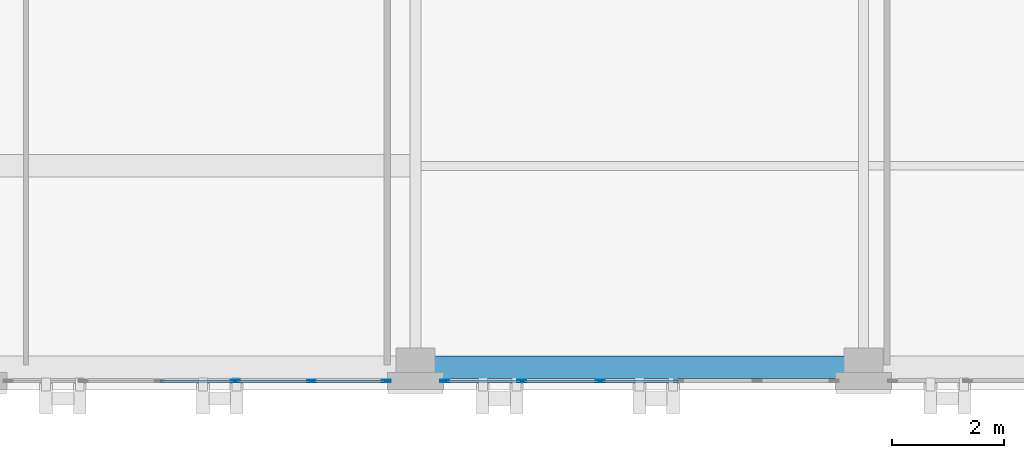
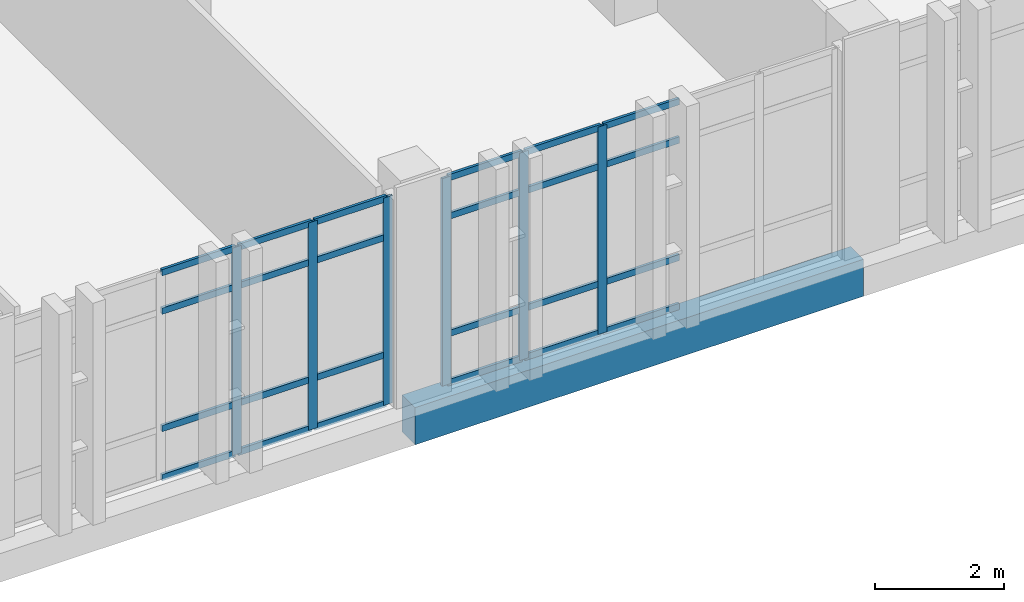
# One storey, part 118 of 193: 30 members, 1 beam, 2 elements without a shape of their own.
"""IFC4 building model written with IfcOpenShell, lengths in metres."""

from ifc_helpers import new_model, si_unit, direction, frame, origin, origin_2d, place, context, subcontext, project, spatial, rectangle, hollow_rectangle, extrude, material, layer, layer_set, material_profile, profile_set, type_object, element, aggregate, save


model = new_model("IFC4")

# Units and contexts
model_context = context("Model", 3, precision=1e-05, world=origin(), true_north=direction((0.0, 1.0)))
body_context = subcontext(model_context, "Body", "Model", "MODEL_VIEW")
ifc_project = project(units=[si_unit("LENGTHUNIT", "METRE"), si_unit("AREAUNIT", "SQUARE_METRE"), si_unit("VOLUMEUNIT", "CUBIC_METRE"), si_unit("PLANEANGLEUNIT", "RADIAN"), si_unit("MASSUNIT", "GRAM", prefix="KILO")], contexts=[model_context])

# Site, building, storey
site_placement = place(None, origin())
site = spatial("IfcSite", under=ifc_project, at=site_placement, CompositionType="ELEMENT")
building_placement = place(site_placement, origin())
building = spatial("IfcBuilding", under=site, at=building_placement, Name="Qalavern Law Courts", CompositionType="ELEMENT")
storey_placement = place(building_placement, frame((0.0, 0.0, 10.199951171875)))
storey = spatial("IfcBuildingStorey", under=building, at=storey_placement, Name="L02", CompositionType="ELEMENT", Elevation=10.199951171875)

# Curtain wall, members
ifc_material_1 = material(Name="Anodised aluminium and insulated glazing", Category="aluminium")
ifc_layer = layer(ifc_material_1, 0.172119140625)
ifc_layer_set = layer_set([ifc_layer], Name="Anodised aluminium and insulated glazing")
curtain_wall_type = type_object("IfcCurtainWallType", Name="ENV-CW-COURT", PredefinedType="USERDEFINED", material=ifc_layer_set)
curtain_wall_1_placement = place(storey_placement, origin())
curtain_wall_1 = element("IfcCurtainWall", 1, at=curtain_wall_1_placement, inside=storey, type_object=curtain_wall_type, Name="V6 unitised curtain wall L02 south 5", ObjectType="UNITISED CURTAIN WALL", PredefinedType="USERDEFINED")
ifc_material_2 = material(Name="Anodised aluminium", Category="aluminium")
ifc_material_profile_1 = material_profile(ifc_material_2, hollow_rectangle(XDim=0.048095703125, YDim=0.159912109375, WallThickness=0.00390625, at=origin_2d()), Name="ALU MULLION 48x160")
ifc_profile_set_1 = profile_set([ifc_material_profile_1], Name="Anodised aluminium")
member_type_1 = type_object("IfcMemberType", Name="ENV-CWM-48x160", PredefinedType="MULLION", material=ifc_profile_set_1)
member_1_placement = place(storey_placement, frame((146.580078125, 1.155029296875, 0.0), z_axis=(0.0, 0.0, 1.0), x_axis=(0.0, 1.0, 0.0)))
member_1 = element("IfcMember", 2, at=member_1_placement, type_object=member_type_1, Name="CW-03 mullion 4", PredefinedType="MULLION", context=body_context, shape_type="SweptSolid", body=[
    extrude(hollow_rectangle(XDim=0.048095703125, YDim=0.159912109375, WallThickness=0.00390625, at=origin_2d()), origin(), (0.0, 0.0, 1.0), 3.9150390625),
])
member_2_placement = place(storey_placement, frame((147.93994140625, 1.155029296875, 0.0), z_axis=(0.0, 0.0, 1.0), x_axis=(0.0, 1.0, 0.0)))
member_2 = element("IfcMember", 3, at=member_2_placement, type_object=member_type_1, Name="CW-03 mullion 5", PredefinedType="MULLION", context=body_context, shape_type="SweptSolid", body=[
    extrude(hollow_rectangle(XDim=0.048095703125, YDim=0.159912109375, WallThickness=0.00390625, at=origin_2d()), origin(), (0.0, 0.0, 1.0), 3.9150390625),
])
member_3_placement = place(storey_placement, frame((149.27587890625, 1.155029296875, 0.0), z_axis=(0.0, 0.0, 1.0), x_axis=(0.0, 1.0, 0.0)))
member_3 = element("IfcMember", 4, at=member_3_placement, type_object=member_type_1, Name="CW-03 mullion 6", PredefinedType="MULLION", context=body_context, shape_type="SweptSolid", body=[
    extrude(hollow_rectangle(XDim=0.048095703125, YDim=0.159912109375, WallThickness=0.00390625, at=origin_2d()), origin(), (0.0, 0.0, 1.0), 3.9150390625),
])

curtain_wall_2_placement = place(storey_placement, origin())
curtain_wall_2 = element("IfcCurtainWall", 5, at=curtain_wall_2_placement, inside=storey, type_object=curtain_wall_type, Name="V6 unitised curtain wall L02 south 6", ObjectType="UNITISED CURTAIN WALL", PredefinedType="USERDEFINED")
member_4_placement = place(storey_placement, frame((150.323974609375, 1.155029296875, 0.0), z_axis=(0.0, 0.0, 1.0), x_axis=(0.0, 1.0, 0.0)))
member_4 = element("IfcMember", 6, at=member_4_placement, type_object=member_type_1, Name="CW-03 mullion 1", PredefinedType="MULLION", context=body_context, shape_type="SweptSolid", body=[
    extrude(hollow_rectangle(XDim=0.048095703125, YDim=0.159912109375, WallThickness=0.00390625, at=origin_2d()), origin(), (0.0, 0.0, 1.0), 3.9150390625),
])
member_5_placement = place(storey_placement, frame((151.699951171875, 1.155029296875, 0.0), z_axis=(0.0, 0.0, 1.0), x_axis=(0.0, 1.0, 0.0)))
member_5 = element("IfcMember", 7, at=member_5_placement, type_object=member_type_1, Name="CW-03 mullion 2", PredefinedType="MULLION", context=body_context, shape_type="SweptSolid", body=[
    extrude(hollow_rectangle(XDim=0.048095703125, YDim=0.159912109375, WallThickness=0.00390625, at=origin_2d()), origin(), (0.0, 0.0, 1.0), 3.9150390625),
])
member_6_placement = place(storey_placement, frame((153.10009765625, 1.155029296875, 0.0), z_axis=(0.0, 0.0, 1.0), x_axis=(0.0, 1.0, 0.0)))
member_6 = element("IfcMember", 8, at=member_6_placement, type_object=member_type_1, Name="CW-03 mullion 3", PredefinedType="MULLION", context=body_context, shape_type="SweptSolid", body=[
    extrude(hollow_rectangle(XDim=0.048095703125, YDim=0.159912109375, WallThickness=0.00390625, at=origin_2d()), origin(), (0.0, 0.0, 1.0), 3.9150390625),
])

# Member
ifc_material_profile_2 = material_profile(ifc_material_2, hollow_rectangle(XDim=0.048095703125, YDim=0.1201171875, WallThickness=0.00390625, at=origin_2d()), Name="ALU TRANSOM 48x120")
ifc_profile_set_2 = profile_set([ifc_material_profile_2], Name="Anodised aluminium")
member_type_2 = type_object("IfcMemberType", Name="ENV-CWT-48x120", PredefinedType="USERDEFINED", material=ifc_profile_set_2)
member_7_placement = place(storey_placement, frame((145.243896484375, 1.155029296875, 0.024169921875), z_axis=(1.0, 0.0, 0.0), x_axis=(0.0, 1.0, 0.0)))
member_7 = element("IfcMember", 9, at=member_7_placement, type_object=member_type_2, Name="CW-03 transom 3.1", ObjectType="TRANSOM", PredefinedType="USERDEFINED", context=body_context, shape_type="SweptSolid", body=[
    extrude(hollow_rectangle(XDim=0.048095703125, YDim=0.1201171875, WallThickness=0.00390625, at=origin_2d()), origin(), (0.0, 0.0, 1.0), 1.31201171875),
])

member_8_placement = place(storey_placement, frame((145.243896484375, 1.155029296875, 0.949951171875), z_axis=(1.0, 0.0, 0.0), x_axis=(0.0, 1.0, 0.0)))
member_8 = element("IfcMember", 10, at=member_8_placement, type_object=member_type_2, Name="CW-03 transom 3.2", ObjectType="TRANSOM", PredefinedType="USERDEFINED", context=body_context, shape_type="SweptSolid", body=[
    extrude(hollow_rectangle(XDim=0.048095703125, YDim=0.1201171875, WallThickness=0.00390625, at=origin_2d()), origin(), (0.0, 0.0, 1.0), 1.31201171875),
])

member_9_placement = place(storey_placement, frame((145.243896484375, 1.155029296875, 3.1650390625), z_axis=(1.0, 0.0, 0.0), x_axis=(0.0, 1.0, 0.0)))
member_9 = element("IfcMember", 11, at=member_9_placement, type_object=member_type_2, Name="CW-03 transom 3.3", ObjectType="TRANSOM", PredefinedType="USERDEFINED", context=body_context, shape_type="SweptSolid", body=[
    extrude(hollow_rectangle(XDim=0.048095703125, YDim=0.1201171875, WallThickness=0.00390625, at=origin_2d()), origin(), (0.0, 0.0, 1.0), 1.31201171875),
])

member_10_placement = place(storey_placement, frame((145.243896484375, 1.155029296875, 3.89111328125), z_axis=(1.0, 0.0, 0.0), x_axis=(0.0, 1.0, 0.0)))
member_10 = element("IfcMember", 12, at=member_10_placement, type_object=member_type_2, Name="CW-03 transom 3.4", ObjectType="TRANSOM", PredefinedType="USERDEFINED", context=body_context, shape_type="SweptSolid", body=[
    extrude(hollow_rectangle(XDim=0.048095703125, YDim=0.1201171875, WallThickness=0.00390625, at=origin_2d()), origin(), (0.0, 0.0, 1.0), 1.31201171875),
])

member_11_placement = place(storey_placement, frame((146.60400390625, 1.155029296875, 0.024169921875), z_axis=(1.0, 0.0, 0.0), x_axis=(0.0, 1.0, 0.0)))
member_11 = element("IfcMember", 13, at=member_11_placement, type_object=member_type_2, Name="CW-03 transom 4.1", ObjectType="TRANSOM", PredefinedType="USERDEFINED", context=body_context, shape_type="SweptSolid", body=[
    extrude(hollow_rectangle(XDim=0.048095703125, YDim=0.1201171875, WallThickness=0.00390625, at=origin_2d()), origin(), (0.0, 0.0, 1.0), 1.31201171875),
])

member_12_placement = place(storey_placement, frame((146.60400390625, 1.155029296875, 0.949951171875), z_axis=(1.0, 0.0, 0.0), x_axis=(0.0, 1.0, 0.0)))
member_12 = element("IfcMember", 14, at=member_12_placement, type_object=member_type_2, Name="CW-03 transom 4.2", ObjectType="TRANSOM", PredefinedType="USERDEFINED", context=body_context, shape_type="SweptSolid", body=[
    extrude(hollow_rectangle(XDim=0.048095703125, YDim=0.1201171875, WallThickness=0.00390625, at=origin_2d()), origin(), (0.0, 0.0, 1.0), 1.31201171875),
])

member_13_placement = place(storey_placement, frame((146.60400390625, 1.155029296875, 3.1650390625), z_axis=(1.0, 0.0, 0.0), x_axis=(0.0, 1.0, 0.0)))
member_13 = element("IfcMember", 15, at=member_13_placement, type_object=member_type_2, Name="CW-03 transom 4.3", ObjectType="TRANSOM", PredefinedType="USERDEFINED", context=body_context, shape_type="SweptSolid", body=[
    extrude(hollow_rectangle(XDim=0.048095703125, YDim=0.1201171875, WallThickness=0.00390625, at=origin_2d()), origin(), (0.0, 0.0, 1.0), 1.31201171875),
])

member_14_placement = place(storey_placement, frame((146.60400390625, 1.155029296875, 3.89111328125), z_axis=(1.0, 0.0, 0.0), x_axis=(0.0, 1.0, 0.0)))
member_14 = element("IfcMember", 16, at=member_14_placement, type_object=member_type_2, Name="CW-03 transom 4.4", ObjectType="TRANSOM", PredefinedType="USERDEFINED", context=body_context, shape_type="SweptSolid", body=[
    extrude(hollow_rectangle(XDim=0.048095703125, YDim=0.1201171875, WallThickness=0.00390625, at=origin_2d()), origin(), (0.0, 0.0, 1.0), 1.31201171875),
])

member_15_placement = place(storey_placement, frame((147.964111328125, 1.155029296875, 0.024169921875), z_axis=(1.0, 0.0, 0.0), x_axis=(0.0, 1.0, 0.0)))
member_15 = element("IfcMember", 17, at=member_15_placement, type_object=member_type_2, Name="CW-03 transom 5.1", ObjectType="TRANSOM", PredefinedType="USERDEFINED", context=body_context, shape_type="SweptSolid", body=[
    extrude(hollow_rectangle(XDim=0.048095703125, YDim=0.1201171875, WallThickness=0.00390625, at=origin_2d()), origin(), (0.0, 0.0, 1.0), 1.287841796875),
])

member_16_placement = place(storey_placement, frame((147.964111328125, 1.155029296875, 0.949951171875), z_axis=(1.0, 0.0, 0.0), x_axis=(0.0, 1.0, 0.0)))
member_16 = element("IfcMember", 18, at=member_16_placement, type_object=member_type_2, Name="CW-03 transom 5.2", ObjectType="TRANSOM", PredefinedType="USERDEFINED", context=body_context, shape_type="SweptSolid", body=[
    extrude(hollow_rectangle(XDim=0.048095703125, YDim=0.1201171875, WallThickness=0.00390625, at=origin_2d()), origin(), (0.0, 0.0, 1.0), 1.287841796875),
])

member_17_placement = place(storey_placement, frame((147.964111328125, 1.155029296875, 3.1650390625), z_axis=(1.0, 0.0, 0.0), x_axis=(0.0, 1.0, 0.0)))
member_17 = element("IfcMember", 19, at=member_17_placement, type_object=member_type_2, Name="CW-03 transom 5.3", ObjectType="TRANSOM", PredefinedType="USERDEFINED", context=body_context, shape_type="SweptSolid", body=[
    extrude(hollow_rectangle(XDim=0.048095703125, YDim=0.1201171875, WallThickness=0.00390625, at=origin_2d()), origin(), (0.0, 0.0, 1.0), 1.287841796875),
])

member_18_placement = place(storey_placement, frame((147.964111328125, 1.155029296875, 3.89111328125), z_axis=(1.0, 0.0, 0.0), x_axis=(0.0, 1.0, 0.0)))
member_18 = element("IfcMember", 20, at=member_18_placement, type_object=member_type_2, Name="CW-03 transom 5.4", ObjectType="TRANSOM", PredefinedType="USERDEFINED", context=body_context, shape_type="SweptSolid", body=[
    extrude(hollow_rectangle(XDim=0.048095703125, YDim=0.1201171875, WallThickness=0.00390625, at=origin_2d()), origin(), (0.0, 0.0, 1.0), 1.287841796875),
])

aggregate(curtain_wall_1, [member_1, member_2, member_3, member_7, member_8, member_9, member_10, member_11, member_12, member_13, member_14, member_15, member_16, member_17, member_18])

member_19_placement = place(storey_placement, frame((150.347900390625, 1.155029296875, 0.024169921875), z_axis=(1.0, 0.0, 0.0), x_axis=(0.0, 1.0, 0.0)))
member_19 = element("IfcMember", 21, at=member_19_placement, type_object=member_type_2, Name="CW-03 transom 1.1", ObjectType="TRANSOM", PredefinedType="USERDEFINED", context=body_context, shape_type="SweptSolid", body=[
    extrude(hollow_rectangle(XDim=0.048095703125, YDim=0.1201171875, WallThickness=0.00390625, at=origin_2d()), origin(), (0.0, 0.0, 1.0), 1.328125),
])

member_20_placement = place(storey_placement, frame((150.347900390625, 1.155029296875, 0.949951171875), z_axis=(1.0, 0.0, 0.0), x_axis=(0.0, 1.0, 0.0)))
member_20 = element("IfcMember", 22, at=member_20_placement, type_object=member_type_2, Name="CW-03 transom 1.2", ObjectType="TRANSOM", PredefinedType="USERDEFINED", context=body_context, shape_type="SweptSolid", body=[
    extrude(hollow_rectangle(XDim=0.048095703125, YDim=0.1201171875, WallThickness=0.00390625, at=origin_2d()), origin(), (0.0, 0.0, 1.0), 1.328125),
])

member_21_placement = place(storey_placement, frame((150.347900390625, 1.155029296875, 3.1650390625), z_axis=(1.0, 0.0, 0.0), x_axis=(0.0, 1.0, 0.0)))
member_21 = element("IfcMember", 23, at=member_21_placement, type_object=member_type_2, Name="CW-03 transom 1.3", ObjectType="TRANSOM", PredefinedType="USERDEFINED", context=body_context, shape_type="SweptSolid", body=[
    extrude(hollow_rectangle(XDim=0.048095703125, YDim=0.1201171875, WallThickness=0.00390625, at=origin_2d()), origin(), (0.0, 0.0, 1.0), 1.328125),
])

member_22_placement = place(storey_placement, frame((150.347900390625, 1.155029296875, 3.89111328125), z_axis=(1.0, 0.0, 0.0), x_axis=(0.0, 1.0, 0.0)))
member_22 = element("IfcMember", 24, at=member_22_placement, type_object=member_type_2, Name="CW-03 transom 1.4", ObjectType="TRANSOM", PredefinedType="USERDEFINED", context=body_context, shape_type="SweptSolid", body=[
    extrude(hollow_rectangle(XDim=0.048095703125, YDim=0.1201171875, WallThickness=0.00390625, at=origin_2d()), origin(), (0.0, 0.0, 1.0), 1.328125),
])

member_23_placement = place(storey_placement, frame((151.72412109375, 1.155029296875, 0.024169921875), z_axis=(1.0, 0.0, 0.0), x_axis=(0.0, 1.0, 0.0)))
member_23 = element("IfcMember", 25, at=member_23_placement, type_object=member_type_2, Name="CW-03 transom 2.1", ObjectType="TRANSOM", PredefinedType="USERDEFINED", context=body_context, shape_type="SweptSolid", body=[
    extrude(hollow_rectangle(XDim=0.048095703125, YDim=0.1201171875, WallThickness=0.00390625, at=origin_2d()), origin(), (0.0, 0.0, 1.0), 1.351806640625),
])

member_24_placement = place(storey_placement, frame((151.72412109375, 1.155029296875, 0.949951171875), z_axis=(1.0, 0.0, 0.0), x_axis=(0.0, 1.0, 0.0)))
member_24 = element("IfcMember", 26, at=member_24_placement, type_object=member_type_2, Name="CW-03 transom 2.2", ObjectType="TRANSOM", PredefinedType="USERDEFINED", context=body_context, shape_type="SweptSolid", body=[
    extrude(hollow_rectangle(XDim=0.048095703125, YDim=0.1201171875, WallThickness=0.00390625, at=origin_2d()), origin(), (0.0, 0.0, 1.0), 1.351806640625),
])

member_25_placement = place(storey_placement, frame((151.72412109375, 1.155029296875, 3.1650390625), z_axis=(1.0, 0.0, 0.0), x_axis=(0.0, 1.0, 0.0)))
member_25 = element("IfcMember", 27, at=member_25_placement, type_object=member_type_2, Name="CW-03 transom 2.3", ObjectType="TRANSOM", PredefinedType="USERDEFINED", context=body_context, shape_type="SweptSolid", body=[
    extrude(hollow_rectangle(XDim=0.048095703125, YDim=0.1201171875, WallThickness=0.00390625, at=origin_2d()), origin(), (0.0, 0.0, 1.0), 1.351806640625),
])

member_26_placement = place(storey_placement, frame((151.72412109375, 1.155029296875, 3.89111328125), z_axis=(1.0, 0.0, 0.0), x_axis=(0.0, 1.0, 0.0)))
member_26 = element("IfcMember", 28, at=member_26_placement, type_object=member_type_2, Name="CW-03 transom 2.4", ObjectType="TRANSOM", PredefinedType="USERDEFINED", context=body_context, shape_type="SweptSolid", body=[
    extrude(hollow_rectangle(XDim=0.048095703125, YDim=0.1201171875, WallThickness=0.00390625, at=origin_2d()), origin(), (0.0, 0.0, 1.0), 1.351806640625),
])

member_27_placement = place(storey_placement, frame((153.1240234375, 1.155029296875, 0.024169921875), z_axis=(1.0, 0.0, 0.0), x_axis=(0.0, 1.0, 0.0)))
member_27 = element("IfcMember", 29, at=member_27_placement, type_object=member_type_2, Name="CW-03 transom 3.1", ObjectType="TRANSOM", PredefinedType="USERDEFINED", context=body_context, shape_type="SweptSolid", body=[
    extrude(hollow_rectangle(XDim=0.048095703125, YDim=0.1201171875, WallThickness=0.00390625, at=origin_2d()), origin(), (0.0, 0.0, 1.0), 1.35205078125),
])

member_28_placement = place(storey_placement, frame((153.1240234375, 1.155029296875, 0.949951171875), z_axis=(1.0, 0.0, 0.0), x_axis=(0.0, 1.0, 0.0)))
member_28 = element("IfcMember", 30, at=member_28_placement, type_object=member_type_2, Name="CW-03 transom 3.2", ObjectType="TRANSOM", PredefinedType="USERDEFINED", context=body_context, shape_type="SweptSolid", body=[
    extrude(hollow_rectangle(XDim=0.048095703125, YDim=0.1201171875, WallThickness=0.00390625, at=origin_2d()), origin(), (0.0, 0.0, 1.0), 1.35205078125),
])

member_29_placement = place(storey_placement, frame((153.1240234375, 1.155029296875, 3.1650390625), z_axis=(1.0, 0.0, 0.0), x_axis=(0.0, 1.0, 0.0)))
member_29 = element("IfcMember", 31, at=member_29_placement, type_object=member_type_2, Name="CW-03 transom 3.3", ObjectType="TRANSOM", PredefinedType="USERDEFINED", context=body_context, shape_type="SweptSolid", body=[
    extrude(hollow_rectangle(XDim=0.048095703125, YDim=0.1201171875, WallThickness=0.00390625, at=origin_2d()), origin(), (0.0, 0.0, 1.0), 1.35205078125),
])

member_30_placement = place(storey_placement, frame((153.1240234375, 1.155029296875, 3.89111328125), z_axis=(1.0, 0.0, 0.0), x_axis=(0.0, 1.0, 0.0)))
member_30 = element("IfcMember", 32, at=member_30_placement, type_object=member_type_2, Name="CW-03 transom 3.4", ObjectType="TRANSOM", PredefinedType="USERDEFINED", context=body_context, shape_type="SweptSolid", body=[
    extrude(hollow_rectangle(XDim=0.048095703125, YDim=0.1201171875, WallThickness=0.00390625, at=origin_2d()), origin(), (0.0, 0.0, 1.0), 1.35205078125),
])

aggregate(curtain_wall_2, [member_4, member_5, member_6, member_19, member_20, member_21, member_22, member_23, member_24, member_25, member_26, member_27, member_28, member_29, member_30])

# Beam
ifc_material_3 = material(Name="Concrete C40/50", Category="concrete")
ifc_material_profile_3 = material_profile(ifc_material_3, rectangle(XDim=0.39990234375, YDim=0.699951171875, at=origin_2d()), Name="RC 400x700")
ifc_profile_set_3 = profile_set([ifc_material_profile_3], Name="Concrete C40/50")
beam_type = type_object("IfcBeamType", Name="STR-SP-RC400x700", PredefinedType="SPANDREL", material=ifc_profile_set_3)
beam_placement = place(storey_placement, frame((149.800048828125, 1.39990234375, -0.639892578125), z_axis=(1.0, 0.0, 0.0), x_axis=(0.0, 1.0, 0.0)))
element("IfcBeam", 33, at=beam_placement, inside=storey, type_object=beam_type, Name="V6 X-beam 1-7 L02", PredefinedType="SPANDREL", context=body_context, shape_type="SweptSolid", body=[
    extrude(rectangle(XDim=0.39990234375, YDim=0.699951171875, at=origin_2d()), origin(), (0.0, 0.0, 1.0), 8.0),
])

save(model, "model.ifc")
